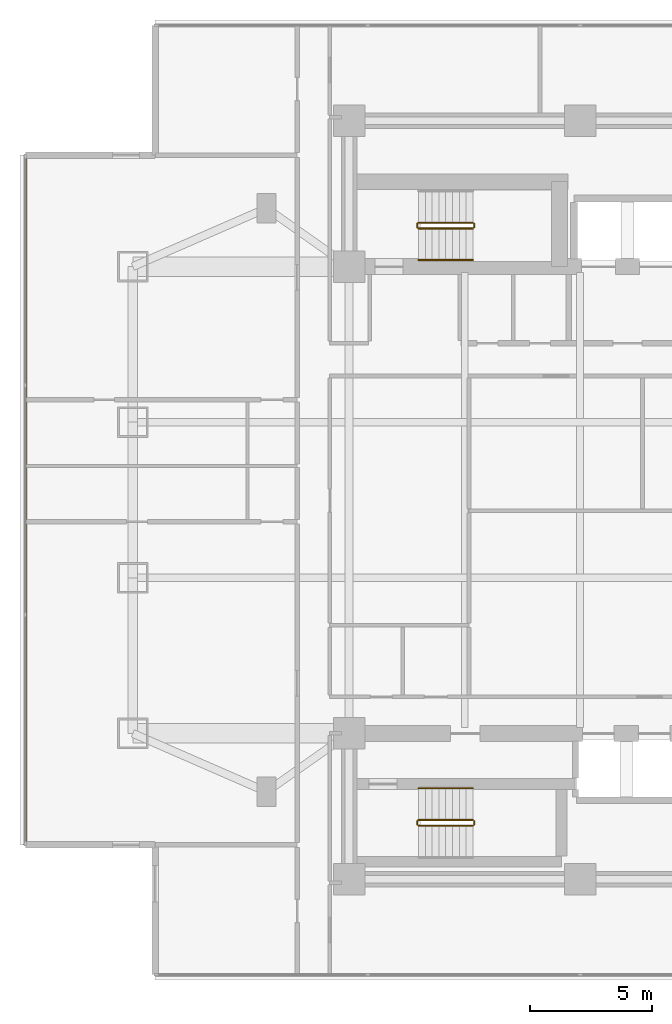
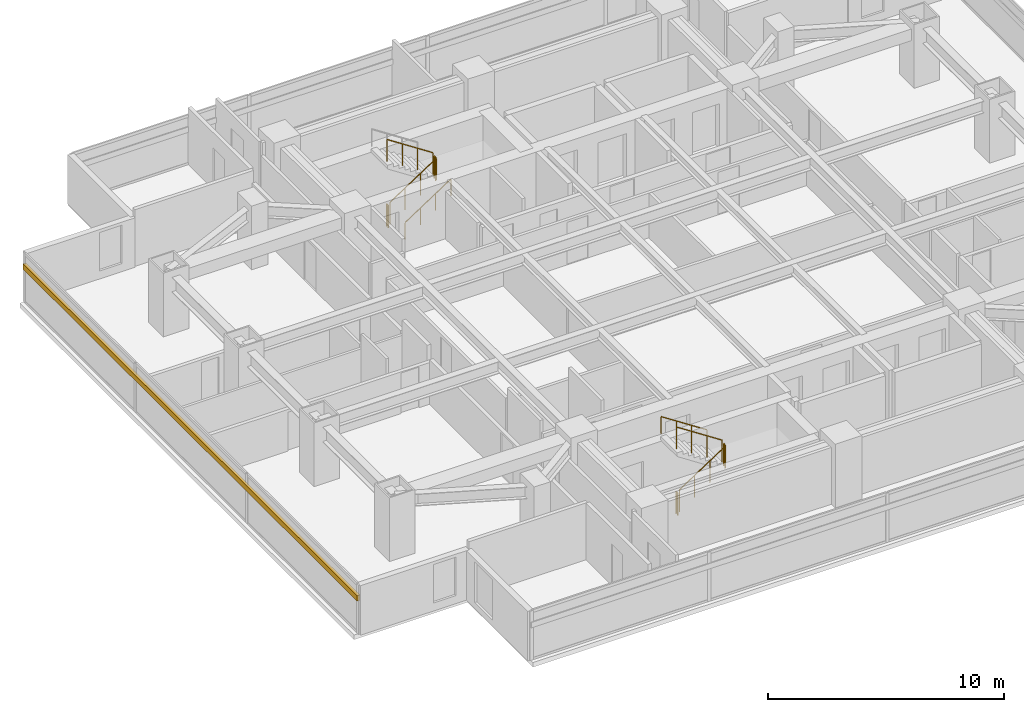
# One storey, part 23 of 26: 10 railings, 1 shading device.
"""IFC4 building model written with IfcOpenShell, lengths in metres."""

from ifc_helpers import new_model, si_unit, direction, frame, origin, origin_2d, place, context, subcontext, project, spatial, rectangle, circle, extrude, material, material_profile, profile_set, type_object, element, save


model = new_model("IFC4")

# Units and contexts
model_context = context("Model", 3, precision=1e-05, world=origin(), true_north=direction((0.0, 1.0)))
body_context = subcontext(model_context, "Body", "Model", "MODEL_VIEW")
ifc_project = project(units=[si_unit("LENGTHUNIT", "METRE"), si_unit("AREAUNIT", "SQUARE_METRE"), si_unit("VOLUMEUNIT", "CUBIC_METRE"), si_unit("PLANEANGLEUNIT", "RADIAN"), si_unit("MASSUNIT", "GRAM", prefix="KILO")], contexts=[model_context])

# Site, building, storey
site_placement = place(None, origin())
site = spatial("IfcSite", under=ifc_project, at=site_placement, CompositionType="ELEMENT")
building_placement = place(site_placement, origin())
building = spatial("IfcBuilding", under=site, at=building_placement, Name="Mirazonda Arch Towers", CompositionType="ELEMENT")
storey_placement = place(building_placement, frame((0.0, 0.0, 78.5)))
storey = spatial("IfcBuildingStorey", under=building, at=storey_placement, Name="L22", CompositionType="ELEMENT", Elevation=78.5)

# Shading device
ifc_material_1 = material(Name="Kiln-Fired Architectural Terracotta", Category="masonry")
ifc_material_profile = material_profile(ifc_material_1, rectangle(XDim=0.139892578125, YDim=0.280029296875, at=origin_2d()), Name="TERRA-BAG-140x280")
ifc_profile_set = profile_set([ifc_material_profile], Name="Kiln-Fired Architectural Terracotta")
shading_device_type = type_object("IfcShadingDeviceType", Name="BAGUETTE-3", PredefinedType="USERDEFINED", material=ifc_profile_set)
shading_device_placement = place(storey_placement, frame((-2.320068359375, 42.18408203125, 1.84326171875), z_axis=(0.0, -1.0, 0.0), x_axis=(1.0, 0.0, 0.0)))
element("IfcShadingDevice", 1, at=shading_device_placement, inside=storey, type_object=shading_device_type, Name="L22 Glazed Terracotta Sun-Screen Baguette CW-L22-T1-W", ObjectType="BAGUETTE", PredefinedType="USERDEFINED", context=body_context, shape_type="SweptSolid", body=[
    extrude(rectangle(XDim=0.139892578125, YDim=0.280029296875, at=origin_2d()), origin(), (0.0, 0.0, 1.0), 28.3681640625),
])

# Railings
ifc_material_2 = material(Name="Architectural Brushed Steel S355", Category="steel")
railing_type_1 = type_object("IfcRailingType", Name="GUARD-STAIR-1120", PredefinedType="GUARDRAIL", material=ifc_material_2)
railing_1_placement = place(storey_placement, frame((13.85009765625, 39.169921875, 0.183349609375)))
element("IfcRailing", 2, at=railing_1_placement, inside=storey, type_object=railing_type_1, Name="L22 ST-T1N stair guard 1", PredefinedType="GUARDRAIL", context=body_context, shape_type="SweptSolid", body=[
    extrude(circle(Radius=0.02392578125, at=origin_2d()), frame((0.0, 0.0, 1.1259765625), z_axis=(0.836636935527, 0.0, 0.547757827979), x_axis=(0.0, 1.0, 0.0)), (0.0, 0.0, 1.0), 2.677490234375),
    extrude(circle(Radius=0.02099609375, at=origin_2d()), origin(), (0.0, 0.0, 1.0), 1.101806640625),
    extrude(circle(Radius=0.02099609375, at=origin_2d()), frame((0.74658203125, 0.0, 0.48876953125)), (0.0, 0.0, 1.0), 1.101806640625),
    extrude(circle(Radius=0.02099609375, at=origin_2d()), frame((1.493408203125, 0.0, 0.977783203125)), (0.0, 0.0, 1.0), 1.101806640625),
    extrude(circle(Radius=0.02099609375, at=origin_2d()), frame((2.239990234375, 0.0, 1.466552734375)), (0.0, 0.0, 1.0), 1.101806640625),
])
railing_2_placement = place(storey_placement, frame((16.139892578125, 39.219970703125, 1.64990234375)))
element("IfcRailing", 3, at=railing_2_placement, inside=storey, type_object=railing_type_1, Name="L22 ST-T1N stair guard 2", PredefinedType="GUARDRAIL", context=body_context, shape_type="SweptSolid", body=[
    extrude(circle(Radius=0.02392578125, at=origin_2d()), frame((0.0, 0.0, 1.1259765625), z_axis=(0.0, 1.0, 0.0), x_axis=(-1.0, 0.0, 0.0)), (0.0, 0.0, 1.0), 0.14013671875),
    extrude(circle(Radius=0.02099609375, at=origin_2d()), origin(), (0.0, 0.0, 1.0), 1.101806640625),
    extrude(circle(Radius=0.02099609375, at=origin_2d()), frame((0.0, 0.14013671875, 0.0)), (0.0, 0.0, 1.0), 1.101806640625),
])
railing_3_placement = place(storey_placement, frame((16.090087890625, 39.409912109375, 1.833251953125)))
element("IfcRailing", 4, at=railing_3_placement, inside=storey, type_object=railing_type_1, Name="L22 ST-T1N stair guard 3", PredefinedType="GUARDRAIL", context=body_context, shape_type="SweptSolid", body=[
    extrude(circle(Radius=0.02392578125, at=origin_2d()), frame((0.0, 0.0, 1.1259765625), z_axis=(-0.836595146698, 0.0, 0.547821650285), x_axis=(0.0, -1.0, 0.0)), (0.0, 0.0, 1.0), 2.677490234375),
    extrude(circle(Radius=0.02099609375, at=origin_2d()), origin(), (0.0, 0.0, 1.0), 1.101806640625),
    extrude(circle(Radius=0.02099609375, at=origin_2d()), frame((-0.74658203125, 0.0, 0.489013671875)), (0.0, 0.0, 1.0), 1.101806640625),
    extrude(circle(Radius=0.02099609375, at=origin_2d()), frame((-1.493408203125, 0.0, 0.977783203125)), (0.0, 0.0, 1.0), 1.101806640625),
    extrude(circle(Radius=0.02099609375, at=origin_2d()), frame((-2.239990234375, 0.0, 1.466796875)), (0.0, 0.0, 1.0), 1.101806640625),
])
railing_4_placement = place(storey_placement, frame((13.800048828125, 39.219970703125, 0.0)))
element("IfcRailing", 5, at=railing_4_placement, inside=storey, type_object=railing_type_1, Name="L22 ST-T1N stair guard 4", PredefinedType="GUARDRAIL", context=body_context, shape_type="SweptSolid", body=[
    extrude(circle(Radius=0.02392578125, at=origin_2d()), frame((0.0, 0.0, 1.1259765625), z_axis=(0.0, 1.0, 0.0), x_axis=(-1.0, 0.0, 0.0)), (0.0, 0.0, 1.0), 0.14013671875),
    extrude(circle(Radius=0.02099609375, at=origin_2d()), origin(), (0.0, 0.0, 1.0), 1.101806640625),
    extrude(circle(Radius=0.02099609375, at=origin_2d()), frame((0.0, 0.14013671875, 0.0)), (0.0, 0.0, 1.0), 1.101806640625),
])
railing_5_placement = place(storey_placement, frame((13.85009765625, 14.60009765625, 0.183349609375)))
element("IfcRailing", 6, at=railing_5_placement, inside=storey, type_object=railing_type_1, Name="L22 ST-T1S stair guard 1", PredefinedType="GUARDRAIL", context=body_context, shape_type="SweptSolid", body=[
    extrude(circle(Radius=0.02392578125, at=origin_2d()), frame((0.0, 0.0, 1.1259765625), z_axis=(0.836636935527, 0.0, 0.547757827979), x_axis=(0.0, 1.0, 0.0)), (0.0, 0.0, 1.0), 2.677490234375),
    extrude(circle(Radius=0.02099609375, at=origin_2d()), origin(), (0.0, 0.0, 1.0), 1.101806640625),
    extrude(circle(Radius=0.02099609375, at=origin_2d()), frame((0.74658203125, 0.0, 0.48876953125)), (0.0, 0.0, 1.0), 1.101806640625),
    extrude(circle(Radius=0.02099609375, at=origin_2d()), frame((1.493408203125, 0.0, 0.977783203125)), (0.0, 0.0, 1.0), 1.101806640625),
    extrude(circle(Radius=0.02099609375, at=origin_2d()), frame((2.239990234375, 0.0, 1.466552734375)), (0.0, 0.0, 1.0), 1.101806640625),
])
railing_6_placement = place(storey_placement, frame((16.139892578125, 14.64990234375, 1.64990234375)))
element("IfcRailing", 7, at=railing_6_placement, inside=storey, type_object=railing_type_1, Name="L22 ST-T1S stair guard 2", PredefinedType="GUARDRAIL", context=body_context, shape_type="SweptSolid", body=[
    extrude(circle(Radius=0.02392578125, at=origin_2d()), frame((0.0, 0.0, 1.1259765625), z_axis=(0.0, 1.0, 0.0), x_axis=(-1.0, 0.0, 0.0)), (0.0, 0.0, 1.0), 0.14013671875),
    extrude(circle(Radius=0.02099609375, at=origin_2d()), origin(), (0.0, 0.0, 1.0), 1.101806640625),
    extrude(circle(Radius=0.02099609375, at=origin_2d()), frame((0.0, 0.14013671875, 0.0)), (0.0, 0.0, 1.0), 1.101806640625),
])
railing_7_placement = place(storey_placement, frame((16.090087890625, 14.840087890625, 1.833251953125)))
element("IfcRailing", 8, at=railing_7_placement, inside=storey, type_object=railing_type_1, Name="L22 ST-T1S stair guard 3", PredefinedType="GUARDRAIL", context=body_context, shape_type="SweptSolid", body=[
    extrude(circle(Radius=0.02392578125, at=origin_2d()), frame((0.0, 0.0, 1.1259765625), z_axis=(-0.836595146698, 0.0, 0.547821650285), x_axis=(0.0, -1.0, 0.0)), (0.0, 0.0, 1.0), 2.677490234375),
    extrude(circle(Radius=0.02099609375, at=origin_2d()), origin(), (0.0, 0.0, 1.0), 1.101806640625),
    extrude(circle(Radius=0.02099609375, at=origin_2d()), frame((-0.74658203125, 0.0, 0.489013671875)), (0.0, 0.0, 1.0), 1.101806640625),
    extrude(circle(Radius=0.02099609375, at=origin_2d()), frame((-1.493408203125, 0.0, 0.977783203125)), (0.0, 0.0, 1.0), 1.101806640625),
    extrude(circle(Radius=0.02099609375, at=origin_2d()), frame((-2.239990234375, 0.0, 1.466796875)), (0.0, 0.0, 1.0), 1.101806640625),
])
railing_8_placement = place(storey_placement, frame((13.800048828125, 14.64990234375, 0.0)))
element("IfcRailing", 9, at=railing_8_placement, inside=storey, type_object=railing_type_1, Name="L22 ST-T1S stair guard 4", PredefinedType="GUARDRAIL", context=body_context, shape_type="SweptSolid", body=[
    extrude(circle(Radius=0.02392578125, at=origin_2d()), frame((0.0, 0.0, 1.1259765625), z_axis=(0.0, 1.0, 0.0), x_axis=(-1.0, 0.0, 0.0)), (0.0, 0.0, 1.0), 0.14013671875),
    extrude(circle(Radius=0.02099609375, at=origin_2d()), origin(), (0.0, 0.0, 1.0), 1.101806640625),
    extrude(circle(Radius=0.02099609375, at=origin_2d()), frame((0.0, 0.14013671875, 0.0)), (0.0, 0.0, 1.0), 1.101806640625),
])
railing_type_2 = type_object("IfcRailingType", Name="HANDRAIL-915", PredefinedType="HANDRAIL", material=ifc_material_2)
railing_9_placement = place(storey_placement, frame((13.85009765625, 37.8701171875, 0.183349609375)))
element("IfcRailing", 10, at=railing_9_placement, inside=storey, type_object=railing_type_2, Name="L22 ST-T1N stair handrail 1", PredefinedType="HANDRAIL", context=body_context, shape_type="SweptSolid", body=[
    extrude(circle(Radius=0.02392578125, at=origin_2d()), frame((0.0, 0.0, 0.8759765625), z_axis=(0.836636935527, 0.0, 0.547757827979), x_axis=(0.0, 1.0, 0.0)), (0.0, 0.0, 1.0), 2.677490234375),
    extrude(circle(Radius=0.02099609375, at=origin_2d()), origin(), (0.0, 0.0, 1.0), 0.851806640625),
    extrude(circle(Radius=0.02099609375, at=origin_2d()), frame((0.74658203125, 0.0, 0.48876953125)), (0.0, 0.0, 1.0), 0.851806640625),
    extrude(circle(Radius=0.02099609375, at=origin_2d()), frame((1.493408203125, 0.0, 0.977783203125)), (0.0, 0.0, 1.0), 0.851806640625),
    extrude(circle(Radius=0.02099609375, at=origin_2d()), frame((2.239990234375, 0.0, 1.466552734375)), (0.0, 0.0, 1.0), 0.851806640625),
])
railing_10_placement = place(storey_placement, frame((16.090087890625, 16.139892578125, 1.833251953125)))
element("IfcRailing", 11, at=railing_10_placement, inside=storey, type_object=railing_type_2, Name="L22 ST-T1S stair handrail 2", PredefinedType="HANDRAIL", context=body_context, shape_type="SweptSolid", body=[
    extrude(circle(Radius=0.02392578125, at=origin_2d()), frame((0.0, 0.0, 0.8759765625), z_axis=(-0.836595146698, 0.0, 0.547821650285), x_axis=(0.0, -1.0, 0.0)), (0.0, 0.0, 1.0), 2.677490234375),
    extrude(circle(Radius=0.02099609375, at=origin_2d()), origin(), (0.0, 0.0, 1.0), 0.851806640625),
    extrude(circle(Radius=0.02099609375, at=origin_2d()), frame((-0.74658203125, 0.0, 0.489013671875)), (0.0, 0.0, 1.0), 0.851806640625),
    extrude(circle(Radius=0.02099609375, at=origin_2d()), frame((-1.493408203125, 0.0, 0.977783203125)), (0.0, 0.0, 1.0), 0.851806640625),
    extrude(circle(Radius=0.02099609375, at=origin_2d()), frame((-2.239990234375, 0.0, 1.466796875)), (0.0, 0.0, 1.0), 0.851806640625),
])

save(model, "model.ifc")
